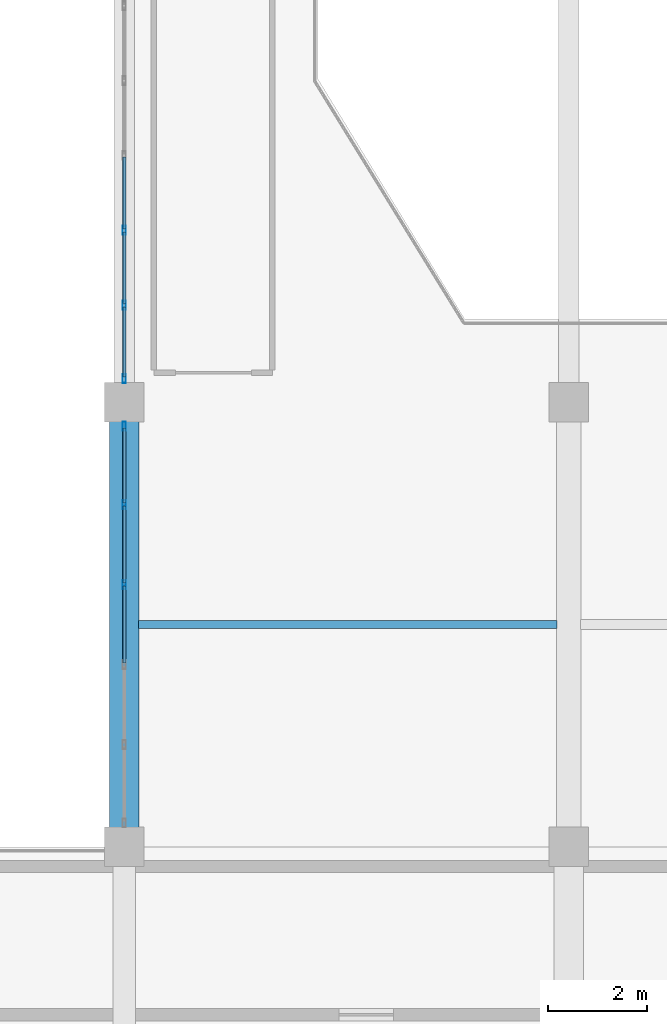
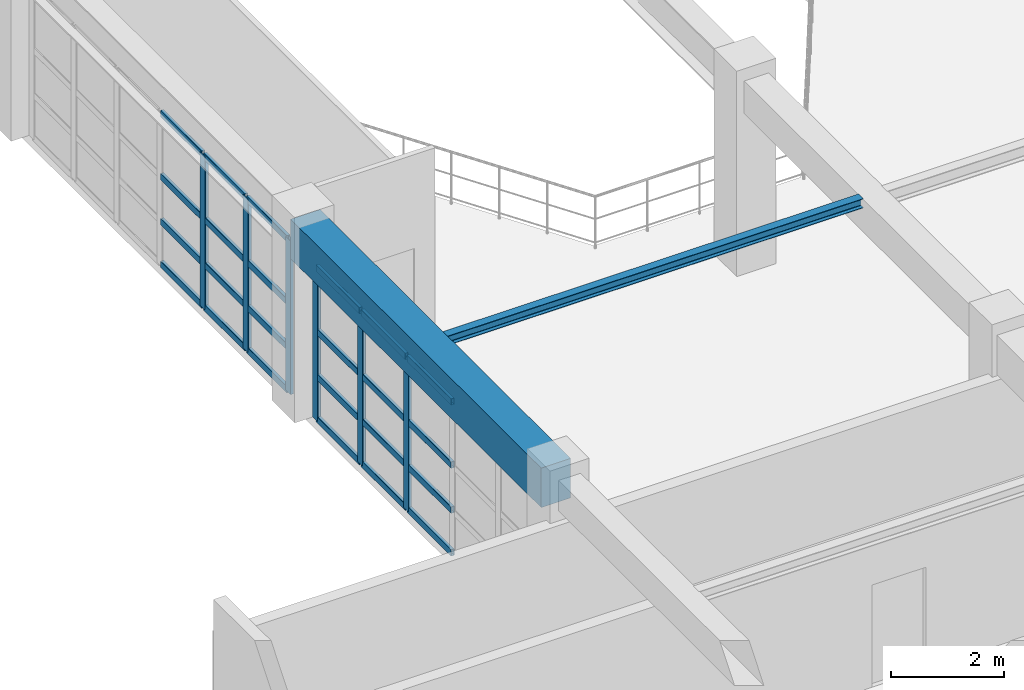
# One storey, part 39 of 133: 30 members, 2 beams, 2 elements without a shape of their own.
"""IFC4 building model written with IfcOpenShell, lengths in metres."""

from ifc_helpers import new_model, si_unit, direction, frame, origin, origin_2d, place, context, subcontext, project, spatial, rectangle, hollow_rectangle, i_section, extrude, material, material_profile, profile_set, type_object, element, aggregate, save


model = new_model("IFC4")

# Units and contexts
model_context = context("Model", 3, precision=1e-05, world=origin(), true_north=direction((0.0, 1.0)))
body_context = subcontext(model_context, "Body", "Model", "MODEL_VIEW")
ifc_project = project(units=[si_unit("LENGTHUNIT", "METRE"), si_unit("AREAUNIT", "SQUARE_METRE"), si_unit("VOLUMEUNIT", "CUBIC_METRE"), si_unit("PLANEANGLEUNIT", "RADIAN"), si_unit("MASSUNIT", "GRAM", prefix="KILO")], contexts=[model_context])

# Site, building, storey
site_placement = place(None, origin())
site = spatial("IfcSite", under=ifc_project, at=site_placement, CompositionType="ELEMENT")
building_placement = place(site_placement, origin())
building = spatial("IfcBuilding", under=site, at=building_placement, Name="Miravela Opera House", CompositionType="ELEMENT")
storey_placement = place(building_placement, frame((0.0, 0.0, 5.10009765625)))
storey = spatial("IfcBuildingStorey", under=building, at=storey_placement, Name="L01", CompositionType="ELEMENT", Elevation=5.10009765625)

# Curtain wall, members
ifc_material_1 = material(Name="Anodised architectural bronze aluminium 6063-T6", Category="aluminium")
curtain_wall_type = type_object("IfcCurtainWallType", Name="ARC-CW-01", PredefinedType="NOTDEFINED", material=ifc_material_1)
curtain_wall_1_placement = place(storey_placement, origin())
curtain_wall_1 = element("IfcCurtainWall", 1, at=curtain_wall_1_placement, inside=storey, type_object=curtain_wall_type, Name="West Foyer Upper Recessed Glazing CW-L01-003", PredefinedType="NOTDEFINED")
ifc_material_profile_1 = material_profile(ifc_material_1, hollow_rectangle(XDim=0.06494140625, YDim=0.179931640625, WallThickness=0.00390625, InnerFilletRadius=0.001953125, OuterFilletRadius=0.00390625, at=origin_2d()), Name="CWM-65X180")
ifc_profile_set_1 = profile_set([ifc_material_profile_1])
member_type_1 = type_object("IfcMemberType", Name="ARC-CWM-180", PredefinedType="MULLION", material=ifc_profile_set_1)
member_1_placement = place(storey_placement, frame((27.0, 42.31005859375, 0.0), z_axis=(0.0, 0.0, 1.0), x_axis=(-1.0, 0.0, 0.0)))
member_1 = element("IfcMember", 2, at=member_1_placement, type_object=member_type_1, Name="CW-01 mullion 4", PredefinedType="MULLION", context=body_context, shape_type="SweptSolid", body=[
    extrude(hollow_rectangle(XDim=0.06494140625, YDim=0.179931640625, WallThickness=0.00390625, InnerFilletRadius=0.001953125, OuterFilletRadius=0.00390625, at=origin_2d()), origin(), (0.0, 0.0, 1.0), 3.309814453125),
])
member_2_placement = place(storey_placement, frame((27.0, 43.929931640625, 0.0), z_axis=(0.0, 0.0, 1.0), x_axis=(-1.0, 0.0, 0.0)))
member_2 = element("IfcMember", 3, at=member_2_placement, type_object=member_type_1, Name="CW-01 mullion 5", PredefinedType="MULLION", context=body_context, shape_type="SweptSolid", body=[
    extrude(hollow_rectangle(XDim=0.06494140625, YDim=0.179931640625, WallThickness=0.00390625, InnerFilletRadius=0.001953125, OuterFilletRadius=0.00390625, at=origin_2d()), origin(), (0.0, 0.0, 1.0), 3.309814453125),
])
member_3_placement = place(storey_placement, frame((27.0, 45.517578125, 0.0), z_axis=(0.0, 0.0, 1.0), x_axis=(-1.0, 0.0, 0.0)))
member_3 = element("IfcMember", 4, at=member_3_placement, type_object=member_type_1, Name="CW-01 mullion 6", PredefinedType="MULLION", context=body_context, shape_type="SweptSolid", body=[
    extrude(hollow_rectangle(XDim=0.06494140625, YDim=0.179931640625, WallThickness=0.00390625, InnerFilletRadius=0.001953125, OuterFilletRadius=0.00390625, at=origin_2d()), origin(), (0.0, 0.0, 1.0), 3.309814453125),
])

curtain_wall_2_placement = place(storey_placement, origin())
curtain_wall_2 = element("IfcCurtainWall", 5, at=curtain_wall_2_placement, inside=storey, type_object=curtain_wall_type, Name="West Foyer Upper Recessed Glazing CW-L01-004", PredefinedType="NOTDEFINED")
member_4_placement = place(storey_placement, frame((27.0, 46.482421875, 0.0), z_axis=(0.0, 0.0, 1.0), x_axis=(-1.0, 0.0, 0.0)))
member_4 = element("IfcMember", 6, at=member_4_placement, type_object=member_type_1, Name="CW-01 mullion 1", PredefinedType="MULLION", context=body_context, shape_type="SweptSolid", body=[
    extrude(hollow_rectangle(XDim=0.06494140625, YDim=0.179931640625, WallThickness=0.00390625, InnerFilletRadius=0.001953125, OuterFilletRadius=0.00390625, at=origin_2d()), origin(), (0.0, 0.0, 1.0), 3.309814453125),
])
member_5_placement = place(storey_placement, frame((27.0, 47.966552734375, 0.0), z_axis=(0.0, 0.0, 1.0), x_axis=(-1.0, 0.0, 0.0)))
member_5 = element("IfcMember", 7, at=member_5_placement, type_object=member_type_1, Name="CW-01 mullion 2", PredefinedType="MULLION", context=body_context, shape_type="SweptSolid", body=[
    extrude(hollow_rectangle(XDim=0.06494140625, YDim=0.179931640625, WallThickness=0.00390625, InnerFilletRadius=0.001953125, OuterFilletRadius=0.00390625, at=origin_2d()), origin(), (0.0, 0.0, 1.0), 3.309814453125),
])
member_6_placement = place(storey_placement, frame((27.0, 49.4833984375, 0.0), z_axis=(0.0, 0.0, 1.0), x_axis=(-1.0, 0.0, 0.0)))
member_6 = element("IfcMember", 8, at=member_6_placement, type_object=member_type_1, Name="CW-01 mullion 3", PredefinedType="MULLION", context=body_context, shape_type="SweptSolid", body=[
    extrude(hollow_rectangle(XDim=0.06494140625, YDim=0.179931640625, WallThickness=0.00390625, InnerFilletRadius=0.001953125, OuterFilletRadius=0.00390625, at=origin_2d()), origin(), (0.0, 0.0, 1.0), 3.309814453125),
])

# Member
ifc_material_profile_2 = material_profile(ifc_material_1, hollow_rectangle(XDim=0.06494140625, YDim=0.139892578125, WallThickness=0.00390625, InnerFilletRadius=0.001953125, OuterFilletRadius=0.00390625, at=origin_2d()), Name="CWT-65X140")
ifc_profile_set_2 = profile_set([ifc_material_profile_2])
member_type_2 = type_object("IfcMemberType", Name="ARC-CWT-140", PredefinedType="USERDEFINED", material=ifc_profile_set_2)
member_7_placement = place(storey_placement, frame((27.0, 40.722412109375, 0.032470703125), z_axis=(0.0, 1.0, 0.0), x_axis=(-1.0, 0.0, 0.0)))
member_7 = element("IfcMember", 9, at=member_7_placement, type_object=member_type_2, Name="CW-01 transom 3.1", ObjectType="TRANSOM", PredefinedType="USERDEFINED", context=body_context, shape_type="SweptSolid", body=[
    extrude(hollow_rectangle(XDim=0.06494140625, YDim=0.139892578125, WallThickness=0.00390625, InnerFilletRadius=0.001953125, OuterFilletRadius=0.00390625, at=origin_2d()), origin(), (0.0, 0.0, 1.0), 1.55517578125),
])

member_8_placement = place(storey_placement, frame((27.0, 40.722412109375, 0.949951171875), z_axis=(0.0, 1.0, 0.0), x_axis=(-1.0, 0.0, 0.0)))
member_8 = element("IfcMember", 10, at=member_8_placement, type_object=member_type_2, Name="CW-01 transom 3.2", ObjectType="TRANSOM", PredefinedType="USERDEFINED", context=body_context, shape_type="SweptSolid", body=[
    extrude(hollow_rectangle(XDim=0.06494140625, YDim=0.139892578125, WallThickness=0.00390625, InnerFilletRadius=0.001953125, OuterFilletRadius=0.00390625, at=origin_2d()), origin(), (0.0, 0.0, 1.0), 1.55517578125),
])

member_9_placement = place(storey_placement, frame((27.0, 40.722412109375, 1.919677734375), z_axis=(0.0, 1.0, 0.0), x_axis=(-1.0, 0.0, 0.0)))
member_9 = element("IfcMember", 11, at=member_9_placement, type_object=member_type_2, Name="CW-01 transom 3.3", ObjectType="TRANSOM", PredefinedType="USERDEFINED", context=body_context, shape_type="SweptSolid", body=[
    extrude(hollow_rectangle(XDim=0.06494140625, YDim=0.139892578125, WallThickness=0.00390625, InnerFilletRadius=0.001953125, OuterFilletRadius=0.00390625, at=origin_2d()), origin(), (0.0, 0.0, 1.0), 1.55517578125),
])

member_10_placement = place(storey_placement, frame((27.0, 40.722412109375, 3.27734375), z_axis=(0.0, 1.0, 0.0), x_axis=(-1.0, 0.0, 0.0)))
member_10 = element("IfcMember", 12, at=member_10_placement, type_object=member_type_2, Name="CW-01 transom 3.4", ObjectType="TRANSOM", PredefinedType="USERDEFINED", context=body_context, shape_type="SweptSolid", body=[
    extrude(hollow_rectangle(XDim=0.06494140625, YDim=0.139892578125, WallThickness=0.00390625, InnerFilletRadius=0.001953125, OuterFilletRadius=0.00390625, at=origin_2d()), origin(), (0.0, 0.0, 1.0), 1.55517578125),
])

member_11_placement = place(storey_placement, frame((27.0, 42.342529296875, 0.032470703125), z_axis=(0.0, 1.0, 0.0), x_axis=(-1.0, 0.0, 0.0)))
member_11 = element("IfcMember", 13, at=member_11_placement, type_object=member_type_2, Name="CW-01 transom 4.1", ObjectType="TRANSOM", PredefinedType="USERDEFINED", context=body_context, shape_type="SweptSolid", body=[
    extrude(hollow_rectangle(XDim=0.06494140625, YDim=0.139892578125, WallThickness=0.00390625, InnerFilletRadius=0.001953125, OuterFilletRadius=0.00390625, at=origin_2d()), origin(), (0.0, 0.0, 1.0), 1.554931640625),
])

member_12_placement = place(storey_placement, frame((27.0, 42.342529296875, 0.949951171875), z_axis=(0.0, 1.0, 0.0), x_axis=(-1.0, 0.0, 0.0)))
member_12 = element("IfcMember", 14, at=member_12_placement, type_object=member_type_2, Name="CW-01 transom 4.2", ObjectType="TRANSOM", PredefinedType="USERDEFINED", context=body_context, shape_type="SweptSolid", body=[
    extrude(hollow_rectangle(XDim=0.06494140625, YDim=0.139892578125, WallThickness=0.00390625, InnerFilletRadius=0.001953125, OuterFilletRadius=0.00390625, at=origin_2d()), origin(), (0.0, 0.0, 1.0), 1.554931640625),
])

member_13_placement = place(storey_placement, frame((27.0, 42.342529296875, 1.919677734375), z_axis=(0.0, 1.0, 0.0), x_axis=(-1.0, 0.0, 0.0)))
member_13 = element("IfcMember", 15, at=member_13_placement, type_object=member_type_2, Name="CW-01 transom 4.3", ObjectType="TRANSOM", PredefinedType="USERDEFINED", context=body_context, shape_type="SweptSolid", body=[
    extrude(hollow_rectangle(XDim=0.06494140625, YDim=0.139892578125, WallThickness=0.00390625, InnerFilletRadius=0.001953125, OuterFilletRadius=0.00390625, at=origin_2d()), origin(), (0.0, 0.0, 1.0), 1.554931640625),
])

member_14_placement = place(storey_placement, frame((27.0, 42.342529296875, 3.27734375), z_axis=(0.0, 1.0, 0.0), x_axis=(-1.0, 0.0, 0.0)))
member_14 = element("IfcMember", 16, at=member_14_placement, type_object=member_type_2, Name="CW-01 transom 4.4", ObjectType="TRANSOM", PredefinedType="USERDEFINED", context=body_context, shape_type="SweptSolid", body=[
    extrude(hollow_rectangle(XDim=0.06494140625, YDim=0.139892578125, WallThickness=0.00390625, InnerFilletRadius=0.001953125, OuterFilletRadius=0.00390625, at=origin_2d()), origin(), (0.0, 0.0, 1.0), 1.554931640625),
])

member_15_placement = place(storey_placement, frame((27.0, 43.96240234375, 0.032470703125), z_axis=(0.0, 1.0, 0.0), x_axis=(-1.0, 0.0, 0.0)))
member_15 = element("IfcMember", 17, at=member_15_placement, type_object=member_type_2, Name="CW-01 transom 5.1", ObjectType="TRANSOM", PredefinedType="USERDEFINED", context=body_context, shape_type="SweptSolid", body=[
    extrude(hollow_rectangle(XDim=0.06494140625, YDim=0.139892578125, WallThickness=0.00390625, InnerFilletRadius=0.001953125, OuterFilletRadius=0.00390625, at=origin_2d()), origin(), (0.0, 0.0, 1.0), 1.522705078125),
])

member_16_placement = place(storey_placement, frame((27.0, 43.96240234375, 0.949951171875), z_axis=(0.0, 1.0, 0.0), x_axis=(-1.0, 0.0, 0.0)))
member_16 = element("IfcMember", 18, at=member_16_placement, type_object=member_type_2, Name="CW-01 transom 5.2", ObjectType="TRANSOM", PredefinedType="USERDEFINED", context=body_context, shape_type="SweptSolid", body=[
    extrude(hollow_rectangle(XDim=0.06494140625, YDim=0.139892578125, WallThickness=0.00390625, InnerFilletRadius=0.001953125, OuterFilletRadius=0.00390625, at=origin_2d()), origin(), (0.0, 0.0, 1.0), 1.522705078125),
])

member_17_placement = place(storey_placement, frame((27.0, 43.96240234375, 1.919677734375), z_axis=(0.0, 1.0, 0.0), x_axis=(-1.0, 0.0, 0.0)))
member_17 = element("IfcMember", 19, at=member_17_placement, type_object=member_type_2, Name="CW-01 transom 5.3", ObjectType="TRANSOM", PredefinedType="USERDEFINED", context=body_context, shape_type="SweptSolid", body=[
    extrude(hollow_rectangle(XDim=0.06494140625, YDim=0.139892578125, WallThickness=0.00390625, InnerFilletRadius=0.001953125, OuterFilletRadius=0.00390625, at=origin_2d()), origin(), (0.0, 0.0, 1.0), 1.522705078125),
])

member_18_placement = place(storey_placement, frame((27.0, 43.96240234375, 3.27734375), z_axis=(0.0, 1.0, 0.0), x_axis=(-1.0, 0.0, 0.0)))
member_18 = element("IfcMember", 20, at=member_18_placement, type_object=member_type_2, Name="CW-01 transom 5.4", ObjectType="TRANSOM", PredefinedType="USERDEFINED", context=body_context, shape_type="SweptSolid", body=[
    extrude(hollow_rectangle(XDim=0.06494140625, YDim=0.139892578125, WallThickness=0.00390625, InnerFilletRadius=0.001953125, OuterFilletRadius=0.00390625, at=origin_2d()), origin(), (0.0, 0.0, 1.0), 1.522705078125),
])

aggregate(curtain_wall_1, [member_1, member_2, member_3, member_7, member_8, member_9, member_10, member_11, member_12, member_13, member_14, member_15, member_16, member_17, member_18])

member_19_placement = place(storey_placement, frame((27.0, 46.514892578125, 0.032470703125), z_axis=(0.0, 1.0, 0.0), x_axis=(-1.0, 0.0, 0.0)))
member_19 = element("IfcMember", 21, at=member_19_placement, type_object=member_type_2, Name="CW-01 transom 1.1", ObjectType="TRANSOM", PredefinedType="USERDEFINED", context=body_context, shape_type="SweptSolid", body=[
    extrude(hollow_rectangle(XDim=0.06494140625, YDim=0.139892578125, WallThickness=0.00390625, InnerFilletRadius=0.001953125, OuterFilletRadius=0.00390625, at=origin_2d()), origin(), (0.0, 0.0, 1.0), 1.419189453125),
])

member_20_placement = place(storey_placement, frame((27.0, 46.514892578125, 0.949951171875), z_axis=(0.0, 1.0, 0.0), x_axis=(-1.0, 0.0, 0.0)))
member_20 = element("IfcMember", 22, at=member_20_placement, type_object=member_type_2, Name="CW-01 transom 1.2", ObjectType="TRANSOM", PredefinedType="USERDEFINED", context=body_context, shape_type="SweptSolid", body=[
    extrude(hollow_rectangle(XDim=0.06494140625, YDim=0.139892578125, WallThickness=0.00390625, InnerFilletRadius=0.001953125, OuterFilletRadius=0.00390625, at=origin_2d()), origin(), (0.0, 0.0, 1.0), 1.419189453125),
])

member_21_placement = place(storey_placement, frame((27.0, 46.514892578125, 1.919677734375), z_axis=(0.0, 1.0, 0.0), x_axis=(-1.0, 0.0, 0.0)))
member_21 = element("IfcMember", 23, at=member_21_placement, type_object=member_type_2, Name="CW-01 transom 1.3", ObjectType="TRANSOM", PredefinedType="USERDEFINED", context=body_context, shape_type="SweptSolid", body=[
    extrude(hollow_rectangle(XDim=0.06494140625, YDim=0.139892578125, WallThickness=0.00390625, InnerFilletRadius=0.001953125, OuterFilletRadius=0.00390625, at=origin_2d()), origin(), (0.0, 0.0, 1.0), 1.419189453125),
])

member_22_placement = place(storey_placement, frame((27.0, 46.514892578125, 3.27734375), z_axis=(0.0, 1.0, 0.0), x_axis=(-1.0, 0.0, 0.0)))
member_22 = element("IfcMember", 24, at=member_22_placement, type_object=member_type_2, Name="CW-01 transom 1.4", ObjectType="TRANSOM", PredefinedType="USERDEFINED", context=body_context, shape_type="SweptSolid", body=[
    extrude(hollow_rectangle(XDim=0.06494140625, YDim=0.139892578125, WallThickness=0.00390625, InnerFilletRadius=0.001953125, OuterFilletRadius=0.00390625, at=origin_2d()), origin(), (0.0, 0.0, 1.0), 1.419189453125),
])

member_23_placement = place(storey_placement, frame((27.0, 47.999267578125, 0.032470703125), z_axis=(0.0, 1.0, 0.0), x_axis=(-1.0, 0.0, 0.0)))
member_23 = element("IfcMember", 25, at=member_23_placement, type_object=member_type_2, Name="CW-01 transom 2.1", ObjectType="TRANSOM", PredefinedType="USERDEFINED", context=body_context, shape_type="SweptSolid", body=[
    extrude(hollow_rectangle(XDim=0.06494140625, YDim=0.139892578125, WallThickness=0.00390625, InnerFilletRadius=0.001953125, OuterFilletRadius=0.00390625, at=origin_2d()), origin(), (0.0, 0.0, 1.0), 1.45166015625),
])

member_24_placement = place(storey_placement, frame((27.0, 47.999267578125, 0.949951171875), z_axis=(0.0, 1.0, 0.0), x_axis=(-1.0, 0.0, 0.0)))
member_24 = element("IfcMember", 26, at=member_24_placement, type_object=member_type_2, Name="CW-01 transom 2.2", ObjectType="TRANSOM", PredefinedType="USERDEFINED", context=body_context, shape_type="SweptSolid", body=[
    extrude(hollow_rectangle(XDim=0.06494140625, YDim=0.139892578125, WallThickness=0.00390625, InnerFilletRadius=0.001953125, OuterFilletRadius=0.00390625, at=origin_2d()), origin(), (0.0, 0.0, 1.0), 1.45166015625),
])

member_25_placement = place(storey_placement, frame((27.0, 47.999267578125, 1.919677734375), z_axis=(0.0, 1.0, 0.0), x_axis=(-1.0, 0.0, 0.0)))
member_25 = element("IfcMember", 27, at=member_25_placement, type_object=member_type_2, Name="CW-01 transom 2.3", ObjectType="TRANSOM", PredefinedType="USERDEFINED", context=body_context, shape_type="SweptSolid", body=[
    extrude(hollow_rectangle(XDim=0.06494140625, YDim=0.139892578125, WallThickness=0.00390625, InnerFilletRadius=0.001953125, OuterFilletRadius=0.00390625, at=origin_2d()), origin(), (0.0, 0.0, 1.0), 1.45166015625),
])

member_26_placement = place(storey_placement, frame((27.0, 47.999267578125, 3.27734375), z_axis=(0.0, 1.0, 0.0), x_axis=(-1.0, 0.0, 0.0)))
member_26 = element("IfcMember", 28, at=member_26_placement, type_object=member_type_2, Name="CW-01 transom 2.4", ObjectType="TRANSOM", PredefinedType="USERDEFINED", context=body_context, shape_type="SweptSolid", body=[
    extrude(hollow_rectangle(XDim=0.06494140625, YDim=0.139892578125, WallThickness=0.00390625, InnerFilletRadius=0.001953125, OuterFilletRadius=0.00390625, at=origin_2d()), origin(), (0.0, 0.0, 1.0), 1.45166015625),
])

member_27_placement = place(storey_placement, frame((27.0, 49.515869140625, 0.032470703125), z_axis=(0.0, 1.0, 0.0), x_axis=(-1.0, 0.0, 0.0)))
member_27 = element("IfcMember", 29, at=member_27_placement, type_object=member_type_2, Name="CW-01 transom 3.1", ObjectType="TRANSOM", PredefinedType="USERDEFINED", context=body_context, shape_type="SweptSolid", body=[
    extrude(hollow_rectangle(XDim=0.06494140625, YDim=0.139892578125, WallThickness=0.00390625, InnerFilletRadius=0.001953125, OuterFilletRadius=0.00390625, at=origin_2d()), origin(), (0.0, 0.0, 1.0), 1.45166015625),
])

member_28_placement = place(storey_placement, frame((27.0, 49.515869140625, 0.949951171875), z_axis=(0.0, 1.0, 0.0), x_axis=(-1.0, 0.0, 0.0)))
member_28 = element("IfcMember", 30, at=member_28_placement, type_object=member_type_2, Name="CW-01 transom 3.2", ObjectType="TRANSOM", PredefinedType="USERDEFINED", context=body_context, shape_type="SweptSolid", body=[
    extrude(hollow_rectangle(XDim=0.06494140625, YDim=0.139892578125, WallThickness=0.00390625, InnerFilletRadius=0.001953125, OuterFilletRadius=0.00390625, at=origin_2d()), origin(), (0.0, 0.0, 1.0), 1.45166015625),
])

member_29_placement = place(storey_placement, frame((27.0, 49.515869140625, 1.919677734375), z_axis=(0.0, 1.0, 0.0), x_axis=(-1.0, 0.0, 0.0)))
member_29 = element("IfcMember", 31, at=member_29_placement, type_object=member_type_2, Name="CW-01 transom 3.3", ObjectType="TRANSOM", PredefinedType="USERDEFINED", context=body_context, shape_type="SweptSolid", body=[
    extrude(hollow_rectangle(XDim=0.06494140625, YDim=0.139892578125, WallThickness=0.00390625, InnerFilletRadius=0.001953125, OuterFilletRadius=0.00390625, at=origin_2d()), origin(), (0.0, 0.0, 1.0), 1.45166015625),
])

member_30_placement = place(storey_placement, frame((27.0, 49.515869140625, 3.27734375), z_axis=(0.0, 1.0, 0.0), x_axis=(-1.0, 0.0, 0.0)))
member_30 = element("IfcMember", 32, at=member_30_placement, type_object=member_type_2, Name="CW-01 transom 3.4", ObjectType="TRANSOM", PredefinedType="USERDEFINED", context=body_context, shape_type="SweptSolid", body=[
    extrude(hollow_rectangle(XDim=0.06494140625, YDim=0.139892578125, WallThickness=0.00390625, InnerFilletRadius=0.001953125, OuterFilletRadius=0.00390625, at=origin_2d()), origin(), (0.0, 0.0, 1.0), 1.45166015625),
])

aggregate(curtain_wall_2, [member_4, member_5, member_6, member_19, member_20, member_21, member_22, member_23, member_24, member_25, member_26, member_27, member_28, member_29, member_30])

# Beams
ifc_material_2 = material(Name="Concrete C40/50", Category="concrete")
ifc_material_profile_3 = material_profile(ifc_material_2, rectangle(XDim=0.60009765625, YDim=0.85009765625, at=origin_2d()), Name="RC-BM-600X850")
ifc_profile_set_3 = profile_set([ifc_material_profile_3])
beam_type_1 = type_object("IfcBeamType", Name="STR-BM-RC600X850", PredefinedType="BEAM", material=ifc_profile_set_3)
beam_1_placement = place(storey_placement, frame((27.0, 37.080078125, 3.73486328125), z_axis=(0.0, 1.0, 0.0), x_axis=(-1.0, 0.0, 0.0)))
element("IfcBeam", 33, at=beam_1_placement, inside=storey, type_object=beam_type_1, Name="Floor Girder L01 4/E-F", PredefinedType="BEAM", context=body_context, shape_type="SweptSolid", body=[
    extrude(rectangle(XDim=0.60009765625, YDim=0.85009765625, at=origin_2d()), origin(), (0.0, 0.0, 1.0), 8.83984375),
])
ifc_material_3 = material(Name="Structural steel ASTM A992 Gr. 50", Category="steel")
ifc_material_profile_4 = material_profile(ifc_material_3, i_section(OverallWidth=0.1650390625, OverallDepth=0.200927734375, WebThickness=0.006103515625, FlangeThickness=0.01025390625, FilletRadius=0.010009765625, at=origin_2d()), Name="W200X36")
ifc_profile_set_4 = profile_set([ifc_material_profile_4])
beam_type_2 = type_object("IfcBeamType", Name="STR-BM-W200X36", PredefinedType="LINTEL", material=ifc_profile_set_4)
beam_2_placement = place(storey_placement, frame((27.284912109375, 41.5, 4.059326171875), z_axis=(1.0, 0.0, 0.0), x_axis=(0.0, 1.0, 0.0)))
element("IfcBeam", 34, at=beam_2_placement, inside=storey, type_object=beam_type_2, Name="Secondary Floor Joist L01 4-5/E-F", PredefinedType="LINTEL", context=body_context, shape_type="SweptSolid", body=[
    extrude(i_section(OverallWidth=0.1650390625, OverallDepth=0.200927734375, WebThickness=0.006103515625, FlangeThickness=0.01025390625, FilletRadius=0.010009765625, at=origin_2d()), origin(), (0.0, 0.0, 1.0), 8.47998046875),
])

save(model, "model.ifc")
